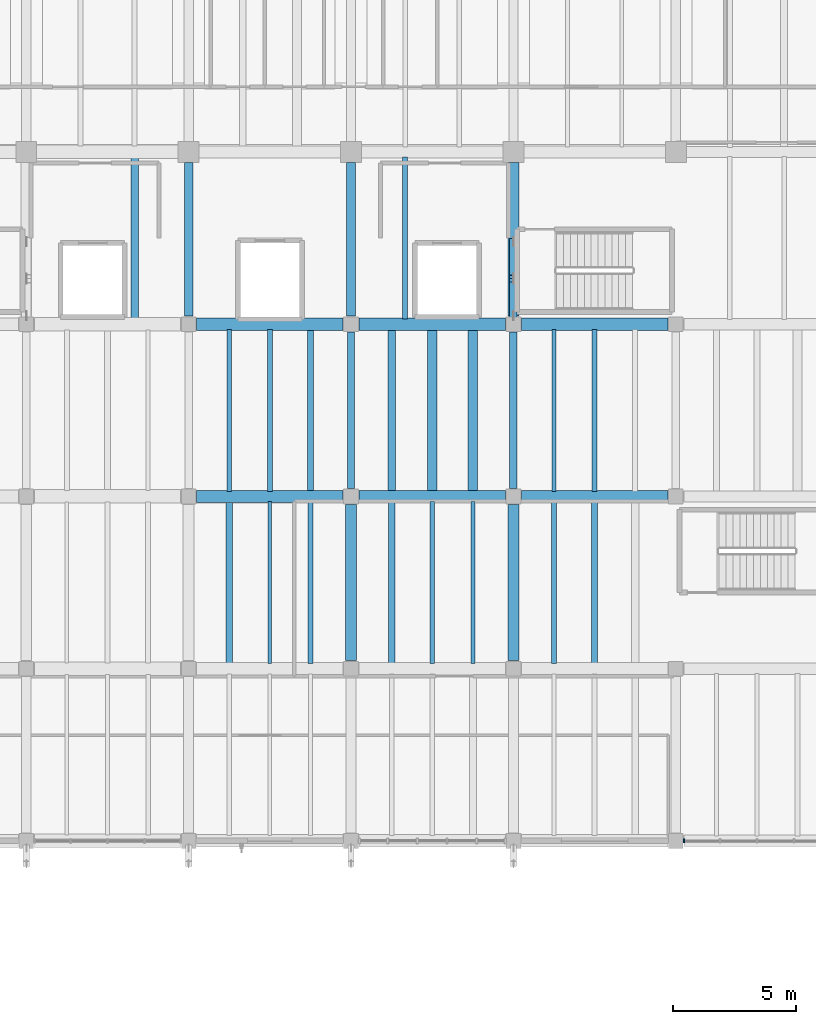
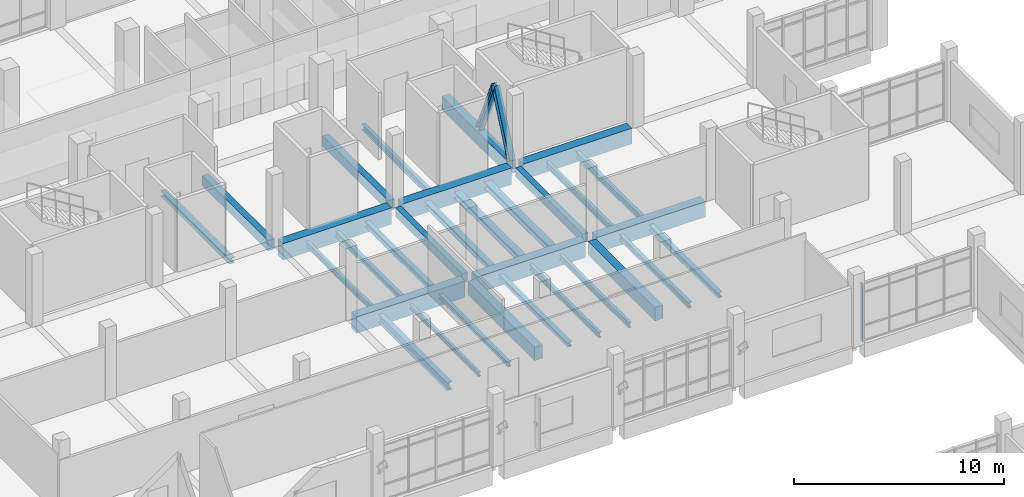
# One storey, part 26 of 68: 31 beams, 3 members, 1 element without a shape of its own.
"""IFC4 building model written with IfcOpenShell, lengths in metres."""

from ifc_helpers import new_model, si_unit, direction, frame, origin, origin_2d, place, context, subcontext, project, spatial, rectangle, i_section, extrude, material, material_profile, profile_set, type_object, element, aggregate, save


model = new_model("IFC4")

# Units and contexts
model_context = context("Model", 3, precision=1e-05, world=origin(), true_north=direction((0.0, 1.0)))
body_context = subcontext(model_context, "Body", "Model", "MODEL_VIEW")
ifc_project = project(units=[si_unit("LENGTHUNIT", "METRE"), si_unit("AREAUNIT", "SQUARE_METRE"), si_unit("VOLUMEUNIT", "CUBIC_METRE"), si_unit("PLANEANGLEUNIT", "RADIAN"), si_unit("MASSUNIT", "GRAM", prefix="KILO")], contexts=[model_context])

# Site, building, storey
site_placement = place(None, origin())
site = spatial("IfcSite", under=ifc_project, at=site_placement, CompositionType="ELEMENT")
building_placement = place(site_placement, origin())
building = spatial("IfcBuilding", under=site, at=building_placement, Name="Ciguamira Faculty of Natural Sciences", CompositionType="ELEMENT")
storey_placement = place(building_placement, frame((0.0, 0.0, 4.199951171875)))
storey = spatial("IfcBuildingStorey", under=building, at=storey_placement, Name="L01", CompositionType="ELEMENT", Elevation=4.199951171875)

# Curtain wall, member
ifc_material_1 = material(Name="Anodized aluminium curtain wall", Category="aluminium")
curtain_wall_type = type_object("IfcCurtainWallType", Name="CurtainWall_CW-07", PredefinedType="USERDEFINED", material=ifc_material_1)
curtain_wall_placement = place(storey_placement, origin())
curtain_wall = element("IfcCurtainWall", 1, at=curtain_wall_placement, inside=storey, type_object=curtain_wall_type, Name="L01 unitised curtain wall 0043", ObjectType="UNITISED CURTAIN WALL", PredefinedType="USERDEFINED")
ifc_material_2 = material(Name="Anodized aluminium mullion", Category="aluminium")
ifc_material_profile_1 = material_profile(ifc_material_2, rectangle(XDim=0.06005859375, YDim=0.159912109375, at=origin_2d()), Name="ALU-MUL-60X160")
ifc_profile_set_1 = profile_set([ifc_material_profile_1], Name="Anodized aluminium mullion")
member_type_1 = type_object("IfcMemberType", Name="CWMullion_CWM-01", PredefinedType="MULLION", material=ifc_profile_set_1)
member_placement = place(storey_placement, frame((103.830078125, 73.0, 0.0), z_axis=(0.0, 0.0, 1.0), x_axis=(1.0, 0.0, 0.0)))
member = element("IfcMember", 2, at=member_placement, type_object=member_type_1, Name="CW-07 mullion 1", PredefinedType="MULLION", context=body_context, shape_type="SweptSolid", body=[
    extrude(rectangle(XDim=0.06005859375, YDim=0.159912109375, at=origin_2d()), origin(), (0.0, 0.0, 1.0), 3.385009765625),
])
aggregate(curtain_wall, [member])

# Beams
ifc_material_3 = material(Name="Concrete C40/50", Category="concrete")
ifc_material_profile_2 = material_profile(ifc_material_3, rectangle(XDim=0.5, YDim=0.949951171875, at=origin_2d()), Name="RC-BM-500X950")
ifc_profile_set_2 = profile_set([ifc_material_profile_2], Name="Concrete C40/50")
beam_type_1 = type_object("IfcBeamType", Name="RCBeam_BG-02_RC-BM-500X950", PredefinedType="BEAM", material=ifc_profile_set_2)
beam_1_placement = place(storey_placement, frame((84.02490234375, 87.0, -0.474853515625), z_axis=(1.0, 0.0, 0.0), x_axis=(0.0, 1.0, 0.0)))
element("IfcBeam", 3, at=beam_1_placement, inside=storey, type_object=beam_type_1, Name="L01 RC girder EW-0508", PredefinedType="BEAM", context=body_context, shape_type="SweptSolid", body=[
    extrude(rectangle(XDim=0.5, YDim=0.949951171875, at=origin_2d()), origin(), (0.0, 0.0, 1.0), 5.9501953125),
])
beam_2_placement = place(storey_placement, frame((90.625, 87.0, -0.474853515625), z_axis=(1.0, 0.0, 0.0), x_axis=(0.0, 1.0, 0.0)))
element("IfcBeam", 4, at=beam_2_placement, inside=storey, type_object=beam_type_1, Name="L01 RC girder EW-0509", PredefinedType="BEAM", context=body_context, shape_type="SweptSolid", body=[
    extrude(rectangle(XDim=0.5, YDim=0.949951171875, at=origin_2d()), origin(), (0.0, 0.0, 1.0), 5.949951171875),
])
beam_3_placement = place(storey_placement, frame((84.02490234375, 94.0, -0.474853515625), z_axis=(1.0, 0.0, 0.0), x_axis=(0.0, 1.0, 0.0)))
element("IfcBeam", 5, at=beam_3_placement, inside=storey, type_object=beam_type_1, Name="L01 RC girder EW-0517", PredefinedType="BEAM", context=body_context, shape_type="SweptSolid", body=[
    extrude(rectangle(XDim=0.5, YDim=0.949951171875, at=origin_2d()), origin(), (0.0, 0.0, 1.0), 5.9501953125),
])
beam_4_placement = place(storey_placement, frame((90.625, 94.0, -0.474853515625), z_axis=(1.0, 0.0, 0.0), x_axis=(0.0, 1.0, 0.0)))
element("IfcBeam", 6, at=beam_4_placement, inside=storey, type_object=beam_type_1, Name="L01 RC girder EW-0518", PredefinedType="BEAM", context=body_context, shape_type="SweptSolid", body=[
    extrude(rectangle(XDim=0.5, YDim=0.949951171875, at=origin_2d()), origin(), (0.0, 0.0, 1.0), 5.949951171875),
])
ifc_material_profile_3 = material_profile(ifc_material_3, rectangle(XDim=0.5, YDim=0.89990234375, at=origin_2d()), Name="RC-BM-500X900")
ifc_profile_set_3 = profile_set([ifc_material_profile_3], Name="Concrete C40/50")
beam_type_2 = type_object("IfcBeamType", Name="RCBeam_BG-03_RC-BM-500X900", PredefinedType="BEAM", material=ifc_profile_set_3)
for number, where, z_axis, x_axis, name in (
    (7, (97.22509765625, 87.0, -0.449951171875), (1.0, 0.0, 0.0), (0.0, 1.0, 0.0), "L01 RC girder EW-0510"),
    (8, (97.22509765625, 94.0, -0.449951171875), (1.0, 0.0, 0.0), (0.0, 1.0, 0.0), "L01 RC girder EW-0519"),
):
    element("IfcBeam", number, at=place(storey_placement, frame(where, z_axis=z_axis, x_axis=x_axis)), inside=storey, type_object=beam_type_2, Name=name, PredefinedType="BEAM", context=body_context, shape_type="SweptSolid", body=[
        extrude(rectangle(XDim=0.5, YDim=0.89990234375, at=origin_2d()), origin(), (0.0, 0.0, 1.0), 5.949951171875),
    ])
ifc_material_profile_4 = material_profile(ifc_material_3, rectangle(XDim=0.43994140625, YDim=0.780029296875, at=origin_2d()), Name="RC-BM-440X780")
ifc_profile_set_4 = profile_set([ifc_material_profile_4], Name="Concrete C40/50")
beam_type_3 = type_object("IfcBeamType", Name="RCBeam_BG-06_RC-BM-440X780", PredefinedType="BEAM", material=ifc_profile_set_4)
for number, where, z_axis, x_axis, name in (
    (9, (90.300048828125, 80.324951171875, -0.389892578125), (0.0, 1.0, 0.0), (-1.0, 0.0, 0.0), "L01 girder NS-0637"),
    (10, (96.89990234375, 80.324951171875, -0.389892578125), (0.0, 1.0, 0.0), (-1.0, 0.0, 0.0), "L01 girder NS-0649"),
):
    element("IfcBeam", number, at=place(storey_placement, frame(where, z_axis=z_axis, x_axis=x_axis)), inside=storey, type_object=beam_type_3, Name=name, PredefinedType="BEAM", context=body_context, shape_type="SweptSolid", body=[
        extrude(rectangle(XDim=0.43994140625, YDim=0.780029296875, at=origin_2d()), origin(), (0.0, 0.0, 1.0), 6.35009765625),
    ])
beam_5_placement = place(storey_placement, frame((96.89990234375, 94.324951171875, -0.389892578125), z_axis=(0.0, 1.0, 0.0), x_axis=(-1.0, 0.0, 0.0)))
element("IfcBeam", 11, at=beam_5_placement, inside=storey, type_object=beam_type_3, Name="L01 core-end brace tie girder 96", PredefinedType="BEAM", context=body_context, shape_type="SweptSolid", body=[
    extrude(rectangle(XDim=0.43994140625, YDim=0.780029296875, at=origin_2d()), origin(), (0.0, 0.0, 1.0), 6.25),
])
ifc_material_profile_5 = material_profile(ifc_material_3, rectangle(XDim=0.35009765625, YDim=0.60009765625, at=origin_2d()), Name="RC-BM-350X600")
ifc_profile_set_5 = profile_set([ifc_material_profile_5], Name="Concrete C40/50")
beam_type_4 = type_object("IfcBeamType", Name="RCBeam_BG-11_RC-BM-350X600", PredefinedType="BEAM", material=ifc_profile_set_5)
for number, where, z_axis, x_axis, name in (
    (12, (83.699951171875, 94.324951171875, -0.300048828125), (0.0, 1.0, 0.0), (-1.0, 0.0, 0.0), "L01 girder NS-0627"),
    (13, (90.300048828125, 94.324951171875, -0.300048828125), (0.0, 1.0, 0.0), (-1.0, 0.0, 0.0), "L01 girder NS-0639"),
):
    element("IfcBeam", number, at=place(storey_placement, frame(where, z_axis=z_axis, x_axis=x_axis)), inside=storey, type_object=beam_type_4, Name=name, PredefinedType="BEAM", context=body_context, shape_type="SweptSolid", body=[
        extrude(rectangle(XDim=0.35009765625, YDim=0.60009765625, at=origin_2d()), origin(), (0.0, 0.0, 1.0), 6.25),
    ])
ifc_material_profile_6 = material_profile(ifc_material_3, rectangle(XDim=0.300048828125, YDim=0.52001953125, at=origin_2d()), Name="RC-BM-300X520")
ifc_profile_set_6 = profile_set([ifc_material_profile_6], Name="Concrete C40/50")
beam_type_5 = type_object("IfcBeamType", Name="RCBeam_BG-13_RC-BM-300X520", PredefinedType="BEAM", material=ifc_profile_set_6)
for number, where, z_axis, x_axis, name in (
    (14, (90.300048828125, 87.324951171875, -0.260009765625), (0.0, 1.0, 0.0), (-1.0, 0.0, 0.0), "L01 girder NS-0638"),
    (15, (96.89990234375, 87.324951171875, -0.260009765625), (0.0, 1.0, 0.0), (-1.0, 0.0, 0.0), "L01 girder NS-0650"),
):
    element("IfcBeam", number, at=place(storey_placement, frame(where, z_axis=z_axis, x_axis=x_axis)), inside=storey, type_object=beam_type_5, Name=name, PredefinedType="BEAM", context=body_context, shape_type="SweptSolid", body=[
        extrude(rectangle(XDim=0.300048828125, YDim=0.52001953125, at=origin_2d()), origin(), (0.0, 0.0, 1.0), 6.35009765625),
    ])
ifc_material_4 = material(Name="Steel ASTM A992 Grade 50", Category="steel")
ifc_material_profile_7 = material_profile(ifc_material_4, i_section(OverallWidth=0.14599609375, OverallDepth=0.259033203125, WebThickness=0.006103515625, FlangeThickness=0.009033203125, at=origin_2d()), Name="W10X22")
ifc_profile_set_7 = profile_set([ifc_material_profile_7], Name="Steel ASTM A992 Grade 50")
beam_type_6 = type_object("IfcBeamType", Name="SteelJoist_SJ-01_W10X22", PredefinedType="JOIST", material=ifc_profile_set_7)
beam_6_placement = place(storey_placement, frame((87.0, 80.2099609375, -0.409423828125), z_axis=(0.0, 1.0, 0.0), x_axis=(-1.0, 0.0, 0.0)))
element("IfcBeam", 16, at=beam_6_placement, inside=storey, type_object=beam_type_6, Name="L01 composite steel joist 00510", PredefinedType="JOIST", context=body_context, shape_type="SweptSolid", body=[
    extrude(i_section(OverallWidth=0.14599609375, OverallDepth=0.259033203125, WebThickness=0.006103515625, FlangeThickness=0.009033203125, at=origin_2d()), origin(), (0.0, 0.0, 1.0), 6.580078125),
])
ifc_material_profile_8 = material_profile(ifc_material_4, i_section(OverallWidth=0.2021484375, OverallDepth=0.2470703125, WebThickness=0.00732421875, FlangeThickness=0.010986328125, at=origin_2d()), Name="W10X33")
ifc_profile_set_8 = profile_set([ifc_material_profile_8], Name="Steel ASTM A992 Grade 50")
beam_type_7 = type_object("IfcBeamType", Name="SteelJoist_SJ-02_W10X33", PredefinedType="JOIST", material=ifc_profile_set_8)
beam_7_placement = place(storey_placement, frame((88.64990234375, 80.2099609375, -0.403564453125), z_axis=(0.0, 1.0, 0.0), x_axis=(-1.0, 0.0, 0.0)))
element("IfcBeam", 17, at=beam_7_placement, inside=storey, type_object=beam_type_7, Name="L01 composite steel joist 00511", PredefinedType="JOIST", context=body_context, shape_type="SweptSolid", body=[
    extrude(i_section(OverallWidth=0.2021484375, OverallDepth=0.2470703125, WebThickness=0.00732421875, FlangeThickness=0.010986328125, at=origin_2d()), origin(), (0.0, 0.0, 1.0), 6.580078125),
])
ifc_material_profile_9 = material_profile(ifc_material_4, i_section(OverallWidth=0.25390625, OverallDepth=0.25390625, WebThickness=0.008544921875, FlangeThickness=0.01416015625, at=origin_2d()), Name="W10X49")
ifc_profile_set_9 = profile_set([ifc_material_profile_9], Name="Steel ASTM A992 Grade 50")
beam_type_8 = type_object("IfcBeamType", Name="SteelJoist_SJ-03_W10X49", PredefinedType="JOIST", material=ifc_profile_set_9)
beam_8_placement = place(storey_placement, frame((91.949951171875, 80.2099609375, -0.406982421875), z_axis=(0.0, 1.0, 0.0), x_axis=(-1.0, 0.0, 0.0)))
element("IfcBeam", 18, at=beam_8_placement, inside=storey, type_object=beam_type_8, Name="L01 composite steel joist 00534", PredefinedType="JOIST", context=body_context, shape_type="SweptSolid", body=[
    extrude(i_section(OverallWidth=0.25390625, OverallDepth=0.25390625, WebThickness=0.008544921875, FlangeThickness=0.01416015625, at=origin_2d()), origin(), (0.0, 0.0, 1.0), 6.580078125),
])
ifc_material_profile_10 = material_profile(ifc_material_4, i_section(OverallWidth=0.164794921875, OverallDepth=0.309814453125, WebThickness=0.005859375, FlangeThickness=0.009765625, at=origin_2d()), Name="W12X26")
ifc_profile_set_10 = profile_set([ifc_material_profile_10], Name="Steel ASTM A992 Grade 50")
beam_type_9 = type_object("IfcBeamType", Name="SteelJoist_SJ-04_W12X26", PredefinedType="JOIST", material=ifc_profile_set_10)
beam_9_placement = place(storey_placement, frame((93.60009765625, 80.2099609375, -0.434814453125), z_axis=(0.0, 1.0, 0.0), x_axis=(-1.0, 0.0, 0.0)))
element("IfcBeam", 19, at=beam_9_placement, inside=storey, type_object=beam_type_9, Name="L01 composite steel joist 00535", PredefinedType="JOIST", context=body_context, shape_type="SweptSolid", body=[
    extrude(i_section(OverallWidth=0.164794921875, OverallDepth=0.309814453125, WebThickness=0.005859375, FlangeThickness=0.009765625, at=origin_2d()), origin(), (0.0, 0.0, 1.0), 6.580078125),
])
ifc_material_profile_11 = material_profile(ifc_material_4, i_section(OverallWidth=0.16650390625, OverallDepth=0.3173828125, WebThickness=0.007568359375, FlangeThickness=0.01318359375, at=origin_2d()), Name="W12X35")
ifc_profile_set_11 = profile_set([ifc_material_profile_11], Name="Steel ASTM A992 Grade 50")
beam_type_10 = type_object("IfcBeamType", Name="SteelJoist_SJ-05_W12X35", PredefinedType="JOIST", material=ifc_profile_set_11)
for number, where, z_axis, x_axis, name in (
    (20, (85.35009765625, 87.2099609375, -0.438720703125), (0.0, 1.0, 0.0), (-1.0, 0.0, 0.0), "L01 composite steel joist 00512"),
    (21, (95.25, 80.2099609375, -0.438720703125), (0.0, 1.0, 0.0), (-1.0, 0.0, 0.0), "L01 composite steel joist 00536"),
):
    element("IfcBeam", number, at=place(storey_placement, frame(where, z_axis=z_axis, x_axis=x_axis)), inside=storey, type_object=beam_type_10, Name=name, PredefinedType="JOIST", context=body_context, shape_type="SweptSolid", body=[
        extrude(i_section(OverallWidth=0.16650390625, OverallDepth=0.3173828125, WebThickness=0.007568359375, FlangeThickness=0.01318359375, at=origin_2d()), origin(), (0.0, 0.0, 1.0), 6.580078125),
    ])
ifc_material_profile_12 = material_profile(ifc_material_4, i_section(OverallWidth=0.20458984375, OverallDepth=0.307373046875, WebThickness=0.008544921875, FlangeThickness=0.0146484375, at=origin_2d()), Name="W12X45")
ifc_profile_set_12 = profile_set([ifc_material_profile_12], Name="Steel ASTM A992 Grade 50")
beam_type_11 = type_object("IfcBeamType", Name="SteelJoist_SJ-06_W12X45", PredefinedType="JOIST", material=ifc_profile_set_12)
for number, where, z_axis, x_axis, name in (
    (22, (87.0, 87.2099609375, -0.43359375), (0.0, 1.0, 0.0), (-1.0, 0.0, 0.0), "L01 composite steel joist 00513"),
    (23, (98.550048828125, 80.2099609375, -0.43359375), (0.0, 1.0, 0.0), (-1.0, 0.0, 0.0), "L01 composite steel joist 00560"),
):
    element("IfcBeam", number, at=place(storey_placement, frame(where, z_axis=z_axis, x_axis=x_axis)), inside=storey, type_object=beam_type_11, Name=name, PredefinedType="JOIST", context=body_context, shape_type="SweptSolid", body=[
        extrude(i_section(OverallWidth=0.20458984375, OverallDepth=0.307373046875, WebThickness=0.008544921875, FlangeThickness=0.0146484375, at=origin_2d()), origin(), (0.0, 0.0, 1.0), 6.580078125),
    ])
ifc_material_profile_13 = material_profile(ifc_material_4, i_section(OverallWidth=0.25390625, OverallDepth=0.307373046875, WebThickness=0.0087890625, FlangeThickness=0.0146484375, at=origin_2d()), Name="W12X53")
ifc_profile_set_13 = profile_set([ifc_material_profile_13], Name="Steel ASTM A992 Grade 50")
beam_type_12 = type_object("IfcBeamType", Name="SteelJoist_SJ-07_W12X53", PredefinedType="JOIST", material=ifc_profile_set_13)
for number, where, z_axis, x_axis, name in (
    (24, (88.64990234375, 87.2099609375, -0.43359375), (0.0, 1.0, 0.0), (-1.0, 0.0, 0.0), "L01 composite steel joist 00514"),
    (25, (100.199951171875, 80.2099609375, -0.43359375), (0.0, 1.0, 0.0), (-1.0, 0.0, 0.0), "L01 composite steel joist 00561"),
):
    element("IfcBeam", number, at=place(storey_placement, frame(where, z_axis=z_axis, x_axis=x_axis)), inside=storey, type_object=beam_type_12, Name=name, PredefinedType="JOIST", context=body_context, shape_type="SweptSolid", body=[
        extrude(i_section(OverallWidth=0.25390625, OverallDepth=0.307373046875, WebThickness=0.0087890625, FlangeThickness=0.0146484375, at=origin_2d()), origin(), (0.0, 0.0, 1.0), 6.580078125),
    ])
ifc_material_profile_14 = material_profile(ifc_material_4, i_section(OverallWidth=0.3046875, OverallDepth=0.307373046875, WebThickness=0.010009765625, FlangeThickness=0.015380859375, at=origin_2d()), Name="W12X65")
ifc_profile_set_14 = profile_set([ifc_material_profile_14], Name="Steel ASTM A992 Grade 50")
beam_type_13 = type_object("IfcBeamType", Name="SteelJoist_SJ-08_W12X65", PredefinedType="JOIST", material=ifc_profile_set_14)
beam_10_placement = place(storey_placement, frame((81.5, 94.235107421875, -0.3935546875), z_axis=(0.0, 1.0, 0.0), x_axis=(-1.0, 0.0, 0.0)))
element("IfcBeam", 26, at=beam_10_placement, inside=storey, type_object=beam_type_13, Name="L01 composite steel joist 00489", PredefinedType="JOIST", context=body_context, shape_type="SweptSolid", body=[
    extrude(i_section(OverallWidth=0.3046875, OverallDepth=0.307373046875, WebThickness=0.010009765625, FlangeThickness=0.015380859375, at=origin_2d()), origin(), (0.0, 0.0, 1.0), 6.52978515625),
])
beam_11_placement = place(storey_placement, frame((91.949951171875, 87.2099609375, -0.43359375), z_axis=(0.0, 1.0, 0.0), x_axis=(-1.0, 0.0, 0.0)))
element("IfcBeam", 27, at=beam_11_placement, inside=storey, type_object=beam_type_13, Name="L01 composite steel joist 00537", PredefinedType="JOIST", context=body_context, shape_type="SweptSolid", body=[
    extrude(i_section(OverallWidth=0.3046875, OverallDepth=0.307373046875, WebThickness=0.010009765625, FlangeThickness=0.015380859375, at=origin_2d()), origin(), (0.0, 0.0, 1.0), 6.580078125),
])
ifc_material_profile_15 = material_profile(ifc_material_4, i_section(OverallWidth=0.370849609375, OverallDepth=0.36328125, WebThickness=0.013427734375, FlangeThickness=0.021728515625, at=origin_2d()), Name="W14X109")
ifc_profile_set_15 = profile_set([ifc_material_profile_15], Name="Steel ASTM A992 Grade 50")
beam_type_14 = type_object("IfcBeamType", Name="SteelJoist_SJ-09_W14X109", PredefinedType="JOIST", material=ifc_profile_set_15)
beam_12_placement = place(storey_placement, frame((93.60009765625, 87.2099609375, -0.461669921875), z_axis=(0.0, 1.0, 0.0), x_axis=(-1.0, 0.0, 0.0)))
element("IfcBeam", 28, at=beam_12_placement, inside=storey, type_object=beam_type_14, Name="L01 composite steel joist 00538", PredefinedType="JOIST", context=body_context, shape_type="SweptSolid", body=[
    extrude(i_section(OverallWidth=0.370849609375, OverallDepth=0.36328125, WebThickness=0.013427734375, FlangeThickness=0.021728515625, at=origin_2d()), origin(), (0.0, 0.0, 1.0), 6.580078125),
])
ifc_material_profile_16 = material_profile(ifc_material_4, i_section(OverallWidth=0.373291015625, OverallDepth=0.373291015625, WebThickness=0.016357421875, FlangeThickness=0.026123046875, at=origin_2d()), Name="W14X132")
ifc_profile_set_16 = profile_set([ifc_material_profile_16], Name="Steel ASTM A992 Grade 50")
beam_type_15 = type_object("IfcBeamType", Name="SteelJoist_SJ-10_W14X132", PredefinedType="JOIST", material=ifc_profile_set_16)
beam_13_placement = place(storey_placement, frame((95.25, 87.2099609375, -0.466552734375), z_axis=(0.0, 1.0, 0.0), x_axis=(-1.0, 0.0, 0.0)))
element("IfcBeam", 29, at=beam_13_placement, inside=storey, type_object=beam_type_15, Name="L01 composite steel joist 00539", PredefinedType="JOIST", context=body_context, shape_type="SweptSolid", body=[
    extrude(i_section(OverallWidth=0.373291015625, OverallDepth=0.373291015625, WebThickness=0.016357421875, FlangeThickness=0.026123046875, at=origin_2d()), origin(), (0.0, 0.0, 1.0), 6.580078125),
])
ifc_material_profile_17 = material_profile(ifc_material_4, i_section(OverallWidth=0.1708984375, OverallDepth=0.3505859375, WebThickness=0.0068359375, FlangeThickness=0.009765625, at=origin_2d()), Name="W14X30")
ifc_profile_set_17 = profile_set([ifc_material_profile_17], Name="Steel ASTM A992 Grade 50")
beam_type_16 = type_object("IfcBeamType", Name="SteelJoist_SJ-11_W14X30", PredefinedType="JOIST", material=ifc_profile_set_17)
beam_14_placement = place(storey_placement, frame((98.550048828125, 87.2099609375, -0.455322265625), z_axis=(0.0, 1.0, 0.0), x_axis=(-1.0, 0.0, 0.0)))
element("IfcBeam", 30, at=beam_14_placement, inside=storey, type_object=beam_type_16, Name="L01 composite steel joist 00563", PredefinedType="JOIST", context=body_context, shape_type="SweptSolid", body=[
    extrude(i_section(OverallWidth=0.1708984375, OverallDepth=0.3505859375, WebThickness=0.0068359375, FlangeThickness=0.009765625, at=origin_2d()), origin(), (0.0, 0.0, 1.0), 6.580078125),
])
ifc_material_profile_18 = material_profile(ifc_material_4, i_section(OverallWidth=0.203125, OverallDepth=0.347900390625, WebThickness=0.0078125, FlangeThickness=0.013427734375, at=origin_2d()), Name="W14X43")
ifc_profile_set_18 = profile_set([ifc_material_profile_18], Name="Steel ASTM A992 Grade 50")
beam_type_17 = type_object("IfcBeamType", Name="SteelJoist_SJ-12_W14X43", PredefinedType="JOIST", material=ifc_profile_set_18)
beam_15_placement = place(storey_placement, frame((100.199951171875, 87.2099609375, -0.453857421875), z_axis=(0.0, 1.0, 0.0), x_axis=(-1.0, 0.0, 0.0)))
element("IfcBeam", 31, at=beam_15_placement, inside=storey, type_object=beam_type_17, Name="L01 composite steel joist 00564", PredefinedType="JOIST", context=body_context, shape_type="SweptSolid", body=[
    extrude(i_section(OverallWidth=0.203125, OverallDepth=0.347900390625, WebThickness=0.0078125, FlangeThickness=0.013427734375, at=origin_2d()), origin(), (0.0, 0.0, 1.0), 6.580078125),
])
ifc_material_profile_19 = material_profile(ifc_material_4, i_section(OverallWidth=0.204833984375, OverallDepth=0.35302734375, WebThickness=0.00927734375, FlangeThickness=0.016845703125, at=origin_2d()), Name="W14X53")
ifc_profile_set_19 = profile_set([ifc_material_profile_19], Name="Steel ASTM A992 Grade 50")
beam_type_18 = type_object("IfcBeamType", Name="SteelJoist_SJ-13_W14X53", PredefinedType="JOIST", material=ifc_profile_set_19)
beam_16_placement = place(storey_placement, frame((92.5, 94.2099609375, -0.41650390625), z_axis=(0.0, 1.0, 0.0), x_axis=(-1.0, 0.0, 0.0)))
element("IfcBeam", 32, at=beam_16_placement, inside=storey, type_object=beam_type_18, Name="L01 composite steel joist 00540", PredefinedType="JOIST", context=body_context, shape_type="SweptSolid", body=[
    extrude(i_section(OverallWidth=0.204833984375, OverallDepth=0.35302734375, WebThickness=0.00927734375, FlangeThickness=0.016845703125, at=origin_2d()), origin(), (0.0, 0.0, 1.0), 6.580078125),
])
ifc_material_profile_20 = material_profile(ifc_material_4, i_section(OverallWidth=0.279296875, OverallDepth=0.462158203125, WebThickness=0.0107421875, FlangeThickness=0.017333984375, at=origin_2d()), Name="W18X76")
ifc_profile_set_20 = profile_set([ifc_material_profile_20], Name="Steel ASTM A992 Grade 50")
beam_type_19 = type_object("IfcBeamType", Name="SteelJoist_SJ-25_W18X76", PredefinedType="JOIST", material=ifc_profile_set_20)
beam_17_placement = place(storey_placement, frame((85.35009765625, 80.2099609375, -0.510986328125), z_axis=(0.0, 1.0, 0.0), x_axis=(-1.0, 0.0, 0.0)))
element("IfcBeam", 33, at=beam_17_placement, inside=storey, type_object=beam_type_19, Name="L01 composite steel joist 00509", PredefinedType="JOIST", context=body_context, shape_type="SweptSolid", body=[
    extrude(i_section(OverallWidth=0.279296875, OverallDepth=0.462158203125, WebThickness=0.0107421875, FlangeThickness=0.017333984375, at=origin_2d()), origin(), (0.0, 0.0, 1.0), 6.580078125),
])

# Members
ifc_material_profile_21 = material_profile(ifc_material_4, i_section(OverallWidth=0.3046875, OverallDepth=0.307373046875, WebThickness=0.010009765625, FlangeThickness=0.015380859375, at=origin_2d()), Name="W12X65")
ifc_profile_set_21 = profile_set([ifc_material_profile_21], Name="Steel ASTM A992 Grade 50")
member_type_2 = type_object("IfcMemberType", Name="SteelMember_BR-04_W12X65", PredefinedType="BRACE", material=ifc_profile_set_21)
for number, where, z_axis, x_axis, name in (
    (34, (96.89990234375, 94.35009765625, 0.0), (0.0, 0.401645143601, 0.915795380323), (-1.0, 0.0, 0.0), "L01 lateral chevron brace 011"),
    (35, (96.89990234375, 97.35009765625, 0.0), (0.0, -0.401645143601, 0.915795380323), (1.0, 0.0, 0.0), "L01 lateral chevron brace 012"),
):
    element("IfcMember", number, at=place(storey_placement, frame(where, z_axis=z_axis, x_axis=x_axis)), inside=storey, type_object=member_type_2, Name=name, PredefinedType="BRACE", context=body_context, shape_type="SweptSolid", body=[
        extrude(i_section(OverallWidth=0.3046875, OverallDepth=0.307373046875, WebThickness=0.010009765625, FlangeThickness=0.015380859375, at=origin_2d()), origin(), (0.0, 0.0, 1.0), 3.734619140625),
    ])

save(model, "model.ifc")
